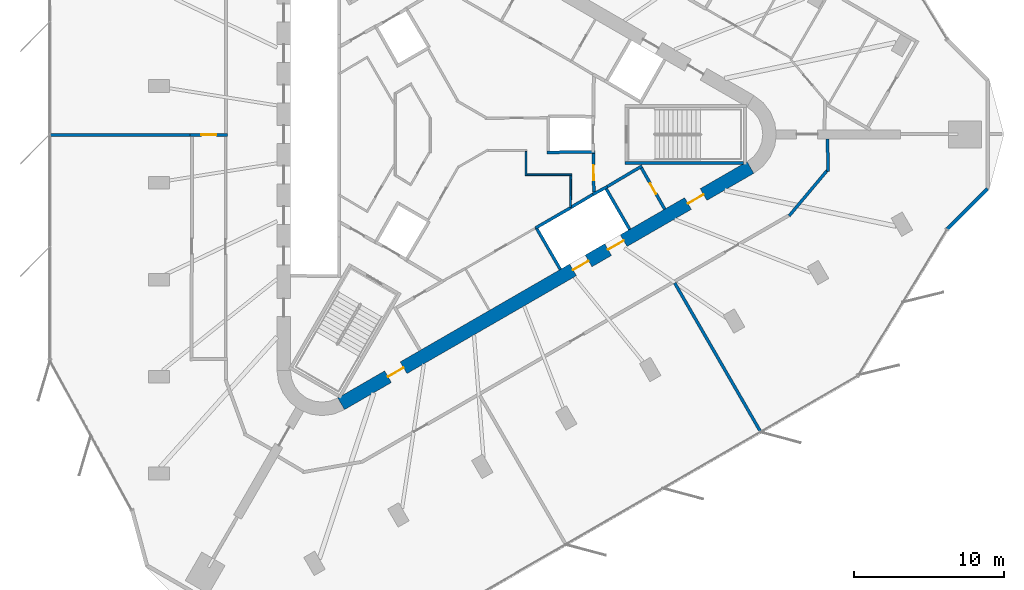
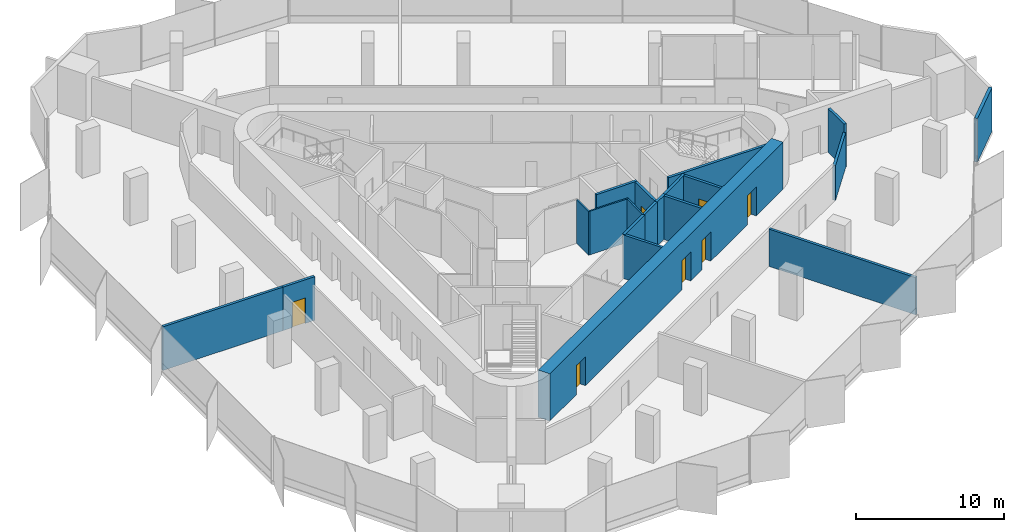
# One storey, part 8 of 12: 20 walls, 7 doors, 7 openings.
"""IFC4 building model written with IfcOpenShell, lengths in metres."""

import ifcopenshell
import ifcopenshell.guid

model = None  # the IFC model being written
_history = None  # IfcOwnerHistory: only IFC2X3 demands one
_inside = {}  # id of a spatial element -> (the spatial element, [elements in it])
_under = {}  # id of a project, library or spatial element -> (it, [spatial elements below it])
_declared = {}  # id of a project -> (the project, [libraries it declares])
_typed = {}  # id of a type object -> (the type object, [elements of that type])
_made_of = {}  # id of a material, layer set ... -> (it, [elements and type objects made of it])


def new_model(schema):
    """Start an empty IFC model of exactly this schema.

    Asked for "IFC4X3", IfcOpenShell would pick the latest addendum, in which some entities
    have other attributes; the version numbers below select the first issue.
    IFC2X3 requires an IfcOwnerHistory on every rooted entity: one is made here for all.
    """
    global model, _history
    if schema == "IFC4X3":
        model = ifcopenshell.file(schema_version=(4, 3, 0, 0))
    else:
        model = ifcopenshell.file(schema=schema)
    _inside.clear()
    _under.clear()
    _declared.clear()
    _typed.clear()
    _made_of.clear()
    _history = None
    if model.schema == "IFC2X3":
        org = make("IfcOrganization", Name="unknown")
        user = make(
            "IfcPersonAndOrganization",
            ThePerson=make("IfcPerson", FamilyName="unknown"),
            TheOrganization=org,
        )
        app = make(
            "IfcApplication",
            ApplicationDeveloper=org,
            Version="unknown",
            ApplicationFullName="unknown",
            ApplicationIdentifier="unknown",
        )
        _history = make(
            "IfcOwnerHistory",
            OwningUser=user,
            OwningApplication=app,
            ChangeAction="ADDED",
            CreationDate=0,
        )
    return model


def make(cls, **values):
    """One entity of the class cls with the attributes given. An attribute that is None is left unset."""
    return model.create_entity(
        cls, **{name: value for name, value in values.items() if value is not None}
    )


def rooted(cls, **values):
    """An entity with a GlobalId (a new one), such as an element, a storey or a relation."""
    return make(cls, GlobalId=ifcopenshell.guid.new(), OwnerHistory=_history, **values)


def si_unit(unit_type, name, prefix=None):
    """IfcSIUnit, for example si_unit("LENGTHUNIT", "METRE", prefix="MILLI")."""
    return make("IfcSIUnit", UnitType=unit_type, Prefix=prefix, Name=name)


def assignment(units):
    """IfcUnitAssignment: the units of a project."""
    return None if units is None else make("IfcUnitAssignment", Units=units)


def point(xyz):
    """IfcCartesianPoint."""
    return None if xyz is None else make("IfcCartesianPoint", Coordinates=xyz)


def direction(xyz):
    """IfcDirection."""
    return None if xyz is None else make("IfcDirection", DirectionRatios=xyz)


def frame(location, z_axis=None, x_axis=None):
    """IfcAxis2Placement3D, a coordinate frame: its origin and axes. An axis left out is left unset."""
    return make(
        "IfcAxis2Placement3D",
        Location=point(location),
        Axis=direction(z_axis),
        RefDirection=direction(x_axis),
    )


def frame_2d(location, x_axis=None):
    """IfcAxis2Placement2D, a coordinate frame in the plane: its origin and x axis."""
    return make(
        "IfcAxis2Placement2D", Location=point(location), RefDirection=direction(x_axis)
    )


def origin():
    """The frame at (0, 0, 0) with its axes left unset."""
    return frame((0.0, 0.0, 0.0))


def place(relative_to, where):
    """IfcLocalPlacement: puts the frame where relative to a parent placement (None: the world)."""
    return make(
        "IfcLocalPlacement", PlacementRelTo=relative_to, RelativePlacement=where
    )


def context(
    kind, dimensions, precision=None, world=None, true_north=None, identifier=None
):
    """IfcGeometricRepresentationContext, for example the 3D "Model" context."""
    return make(
        "IfcGeometricRepresentationContext",
        ContextIdentifier=identifier,
        ContextType=kind,
        CoordinateSpaceDimension=dimensions,
        Precision=precision,
        WorldCoordinateSystem=world,
        TrueNorth=true_north,
    )


def subcontext(parent, identifier, kind, view, scale=None):
    """IfcGeometricRepresentationSubContext, for example "Body" below "Model"."""
    return make(
        "IfcGeometricRepresentationSubContext",
        ContextIdentifier=identifier,
        ContextType=kind,
        ParentContext=parent,
        TargetScale=scale,
        TargetView=view,
    )


def project(units=None, contexts=None):
    """IfcProject with its units and contexts."""
    return rooted(
        "IfcProject",
        Name="project",
        RepresentationContexts=contexts,
        UnitsInContext=assignment(units),
    )


def spatial(cls, under=None, at=None, **own):
    """A site, building, storey or space (cls), placed at a placement, below another one or the project."""
    s = rooted(cls, ObjectPlacement=at, **own)
    if under is not None:
        _under.setdefault(under.id(), (under, []))[1].append(s)
    return s


def profile(cls, at=None, kind="AREA", **sizes):
    """A parametric profile (cls). Its sizes go by their IFC names, for example OverallWidth=200.0."""
    return make(cls, ProfileType=kind, Position=at, **sizes)


def rectangle(**sizes):
    """IfcRectangleProfileDef."""
    return profile("IfcRectangleProfileDef", **sizes)


def extrude(swept, where, along, depth):
    """IfcExtrudedAreaSolid: the profile swept, set in the frame where, extruded along a direction by depth."""
    return make(
        "IfcExtrudedAreaSolid",
        SweptArea=swept,
        Position=where,
        ExtrudedDirection=direction(along),
        Depth=depth,
    )


def shape(context_of_items, identifier, shape_type, items):
    """IfcShapeRepresentation: the items that make up one representation, for example the "Body"."""
    return make(
        "IfcShapeRepresentation",
        ContextOfItems=context_of_items,
        RepresentationIdentifier=identifier,
        RepresentationType=shape_type,
        Items=items,
    )


def material(Name=None, Category=None):
    """IfcMaterial."""
    return make("IfcMaterial", Name=Name, Category=Category)


def layer(
    of_material, thickness, ventilated=None, Name=None, Category=None, Priority=None
):
    """IfcMaterialLayer: one layer of a wall or slab, of a material (None: an air gap)."""
    return make(
        "IfcMaterialLayer",
        Material=of_material,
        LayerThickness=thickness,
        IsVentilated=ventilated,
        Name=Name,
        Category=Category,
        Priority=Priority,
    )


def layer_set(layers, Name=None):
    """IfcMaterialLayerSet."""
    return make("IfcMaterialLayerSet", MaterialLayers=layers, LayerSetName=Name)


def made_of(thing, what):
    """Note that an element or type object is made of a material, layer set ...; save() writes the relation."""
    if what is not None:
        _made_of.setdefault(what.id(), (what, []))[1].append(thing)
    return thing


def type_object(cls, material=None, **own):
    """A type object (cls), such as IfcWallType, which elements share."""
    return made_of(rooted(cls, **own), material)


def element(
    cls,
    number,
    at=None,
    inside=None,
    cuts=None,
    type_object=None,
    material=None,
    context=None,
    identifier="Body",
    shape_type=None,
    held_by="IfcProductDefinitionShape",
    body=None,
    shapes=None,
    **own,
):
    """One element of the class cls, such as IfcWall. Its Tag is "e" and its number.

    at: its placement. inside: the storey or other place that contains it. cuts: it is an
    opening in that element (IfcRelVoidsElement). A single representation is given by context,
    identifier, shape_type and body (its items); several are given by shapes. held_by: the class
    of the entity that holds the representations. save() writes the other relations.
    """
    e = rooted(cls, Tag="e%d" % number, ObjectPlacement=at, **own)
    if body is not None:
        shapes = [shape(context, identifier, shape_type, body)]
    if shapes is not None:
        e.Representation = make(held_by, Representations=shapes)
    if inside is not None:
        _inside.setdefault(inside.id(), (inside, []))[1].append(e)
    if cuts is not None:
        rooted(
            "IfcRelVoidsElement", RelatingBuildingElement=cuts, RelatedOpeningElement=e
        )
    if type_object is not None:
        _typed.setdefault(type_object.id(), (type_object, []))[1].append(e)
    return made_of(e, material)


def fill(opening, filler):
    """IfcRelFillsElement: the door or window that sits in an opening."""
    return rooted(
        "IfcRelFillsElement",
        RelatingOpeningElement=opening,
        RelatedBuildingElement=filler,
    )


def aggregate(whole, parts):
    """IfcRelAggregates: a whole, such as a stair, and the parts it consists of."""
    return rooted("IfcRelAggregates", RelatingObject=whole, RelatedObjects=parts)


def save(model, path):
    """Write the relations noted so far, then the file.

    IfcRelAggregates (storeys below a building ...), IfcRelContainedInSpatialStructure (elements
    in a storey), IfcRelDefinesByType, IfcRelAssociatesMaterial and IfcRelDeclares: one each for
    every whole, place, type object, material and project.
    """
    for whole, parts in _under.values():
        aggregate(whole, parts)
    for where, things in _inside.values():
        rooted(
            "IfcRelContainedInSpatialStructure",
            RelatedElements=things,
            RelatingStructure=where,
        )
    for kind, things in _typed.values():
        rooted("IfcRelDefinesByType", RelatedObjects=things, RelatingType=kind)
    for what, things in _made_of.values():
        rooted("IfcRelAssociatesMaterial", RelatedObjects=things, RelatingMaterial=what)
    for by, libraries in _declared.values():
        rooted("IfcRelDeclares", RelatingContext=by, RelatedDefinitions=libraries)
    model.write(path)


model = new_model("IFC4")

# Units and contexts
model_context = context("Model", 3, precision=1e-05, world=origin(), true_north=direction((0.0, 1.0)))
body_context = subcontext(model_context, "Body", "Model", "MODEL_VIEW")
ifc_project = project(units=[si_unit("LENGTHUNIT", "METRE"), si_unit("AREAUNIT", "SQUARE_METRE"), si_unit("VOLUMEUNIT", "CUBIC_METRE"), si_unit("PLANEANGLEUNIT", "RADIAN"), si_unit("MASSUNIT", "GRAM", prefix="KILO")], contexts=[model_context])

# Site, building, storey
site_placement = place(None, origin())
site = spatial("IfcSite", under=ifc_project, at=site_placement, CompositionType="ELEMENT")
building_placement = place(site_placement, origin())
building = spatial("IfcBuilding", under=site, at=building_placement, Name="Tanit Gate Tower", CompositionType="ELEMENT")
storey_placement = place(building_placement, frame((0.0, 0.0, 333.800048828125)))
storey = spatial("IfcBuildingStorey", under=building, at=storey_placement, Name="L75", CompositionType="ELEMENT", Elevation=333.800048828125)

# Wall, openings, doors
ifc_material_1 = material(Name="Concrete C40/50", Category="concrete")
ifc_layer_1 = layer(ifc_material_1, 0.89990234375)
ifc_layer_set_1 = layer_set([ifc_layer_1], Name="CORE WALL 900 C40/50")
wall_type_1 = type_object("IfcWallType", Name="CORE WALL 900 C40/50", PredefinedType="SHEAR", material=ifc_layer_set_1)
wall_1_placement = place(storey_placement, frame((-7.824951171875, -17.969970703125, 0.0), z_axis=(0.0, 0.0, 1.0), x_axis=(0.866028369851, 0.499994862586, 0.0)))
wall_1 = element("IfcWall", 1, at=wall_1_placement, inside=storey, type_object=wall_type_1, Name="CORE WALL", PredefinedType="SHEAR", context=body_context, shape_type="SweptSolid", body=[
    extrude(rectangle(XDim=31.523193359375, YDim=0.89990234375, at=frame_2d((15.76171875, 0.0))), origin(), (0.0, 0.0, 1.0), 3.89990234375),
])
opening_1_placement = place(wall_1_placement, frame((17.861572265625, 0.0, 0.0)))
opening_1 = element("IfcOpeningElement", 2, at=opening_1_placement, cuts=wall_1, Name="Opening LDSV1-S21", PredefinedType="OPENING", context=body_context, shape_type="SweptSolid", body=[
    extrude(rectangle(XDim=1.199951171875, YDim=2.39990234375, at=frame_2d((0.60009765625, 1.199951171875))), frame((0.0, 0.4599609375, 0.0), z_axis=(0.0, -1.0, 0.0), x_axis=(1.0, 0.0, 0.0)), (0.0, 0.0, 1.0), 0.919921875),
])
opening_2_placement = place(wall_1_placement, frame((20.561767578125, 0.0, 0.0)))
opening_2 = element("IfcOpeningElement", 3, at=opening_2_placement, cuts=wall_1, Name="Opening LDSV2-S21", PredefinedType="OPENING", context=body_context, shape_type="SweptSolid", body=[
    extrude(rectangle(XDim=1.199951171875, YDim=2.39990234375, at=frame_2d((0.60009765625, 1.199951171875))), frame((0.0, 0.4599609375, 0.0), z_axis=(0.0, -1.0, 0.0), x_axis=(1.0, 0.0, 0.0)), (0.0, 0.0, 1.0), 0.919921875),
])
opening_3_placement = place(wall_1_placement, frame((26.711669921875, 0.0, 0.0)))
opening_3 = element("IfcOpeningElement", 4, at=opening_3_placement, cuts=wall_1, Name="Opening F12-S21-S1", PredefinedType="OPENING", context=body_context, shape_type="SweptSolid", body=[
    extrude(rectangle(XDim=1.199951171875, YDim=2.39990234375, at=frame_2d((0.60009765625, 1.199951171875))), frame((0.0, 0.4599609375, 0.0), z_axis=(0.0, -1.0, 0.0), x_axis=(1.0, 0.0, 0.0)), (0.0, 0.0, 1.0), 0.919921875),
])
opening_4_placement = place(wall_1_placement, frame((3.611572265625, 0.0, 0.0)))
opening_4 = element("IfcOpeningElement", 5, at=opening_4_placement, cuts=wall_1, Name="Opening F12-S21-FL3", PredefinedType="OPENING", context=body_context, shape_type="SweptSolid", body=[
    extrude(rectangle(XDim=1.199951171875, YDim=2.39990234375, at=frame_2d((0.60009765625, 1.199951171875))), frame((0.0, 0.4599609375, 0.0), z_axis=(0.0, -1.0, 0.0), x_axis=(1.0, 0.0, 0.0)), (0.0, 0.0, 1.0), 0.919921875),
])
ifc_material_2 = material(Name="Fire-rated steel door leaf", Category="steel")
door_type_1 = type_object("IfcDoorType", Name="INT-DOOR-FIRE-LOBBY-1200", OperationType="NOTDEFINED", PredefinedType="USERDEFINED", material=ifc_material_2)
door_1_placement = place(opening_3_placement, origin())
door_1 = element("IfcDoor", 6, at=door_1_placement, inside=storey, type_object=door_type_1, Name="Door F12-S21-S1", ObjectType="FIRE DOOR", OperationType="SINGLE_SWING_RIGHT", OverallHeight=2.39990234375, OverallWidth=1.199951171875, PredefinedType="USERDEFINED", context=body_context, shape_type="SweptSolid", body=[
    extrude(rectangle(XDim=1.199951171875, YDim=2.39990234375, at=frame_2d((0.60009765625, 1.199951171875))), frame((0.0, 0.02490234375, 0.0), z_axis=(0.0, -1.0, 0.0), x_axis=(1.0, 0.0, 0.0)), (0.0, 0.0, 1.0), 0.050048828125),
])
fill(opening_3, door_1)
door_2_placement = place(opening_4_placement, origin())
door_2 = element("IfcDoor", 7, at=door_2_placement, inside=storey, type_object=door_type_1, Name="Door F12-S21-FL3", ObjectType="FIRE DOOR", OperationType="SINGLE_SWING_LEFT", OverallHeight=2.39990234375, OverallWidth=1.199951171875, PredefinedType="USERDEFINED", context=body_context, shape_type="SweptSolid", body=[
    extrude(rectangle(XDim=1.199951171875, YDim=2.39990234375, at=frame_2d((0.60009765625, 1.199951171875))), frame((0.0, 0.02490234375, 0.0), z_axis=(0.0, -1.0, 0.0), x_axis=(1.0, 0.0, 0.0)), (0.0, 0.0, 1.0), 0.050048828125),
])
fill(opening_4, door_2)
ifc_material_3 = material(Name="Stainless steel sliding door leaf", Category="steel")
door_type_2 = type_object("IfcDoorType", Name="INT-DOOR-LANDING-1200", OperationType="NOTDEFINED", PredefinedType="USERDEFINED", material=ifc_material_3)
door_3_placement = place(opening_1_placement, origin())
door_3 = element("IfcDoor", 8, at=door_3_placement, inside=storey, type_object=door_type_2, Name="Door LDSV1-S21", ObjectType="LANDING DOOR", OperationType="SLIDING_TO_LEFT", OverallHeight=2.39990234375, OverallWidth=1.199951171875, PredefinedType="USERDEFINED", context=body_context, shape_type="SweptSolid", body=[
    extrude(rectangle(XDim=1.199951171875, YDim=2.39990234375, at=frame_2d((0.60009765625, 1.199951171875))), frame((0.0, 0.02490234375, 0.0), z_axis=(0.0, -1.0, 0.0), x_axis=(1.0, 0.0, 0.0)), (0.0, 0.0, 1.0), 0.050048828125),
])
fill(opening_1, door_3)
door_4_placement = place(opening_2_placement, origin())
door_4 = element("IfcDoor", 9, at=door_4_placement, inside=storey, type_object=door_type_2, Name="Door LDSV2-S21", ObjectType="LANDING DOOR", OperationType="SLIDING_TO_LEFT", OverallHeight=2.39990234375, OverallWidth=1.199951171875, PredefinedType="USERDEFINED", context=body_context, shape_type="SweptSolid", body=[
    extrude(rectangle(XDim=1.199951171875, YDim=2.39990234375, at=frame_2d((0.60009765625, 1.199951171875))), frame((0.0, 0.02490234375, 0.0), z_axis=(0.0, -1.0, 0.0), x_axis=(1.0, 0.0, 0.0)), (0.0, 0.0, 1.0), 0.050048828125),
])
fill(opening_2, door_4)

# Walls
ifc_material_4 = material(Name="Concrete C30/37 with bronze anodised aluminium cladding", Category="concrete")
ifc_layer_2 = layer(ifc_material_4, 0.239990234375)
ifc_layer_set_2 = layer_set([ifc_layer_2], Name="Facade wall bronze clad 240")
wall_type_2 = type_object("IfcWallType", Name="Facade wall bronze clad 240", PredefinedType="SOLIDWALL", material=ifc_layer_set_2)
wall_2_placement = place(storey_placement, frame((32.60791015625, -6.306396484375, 0.0), z_axis=(0.0, 0.0, 1.0), x_axis=(0.707138934827, 0.707074626084, 0.0)))
element("IfcWall", 10, at=wall_2_placement, inside=storey, type_object=wall_type_2, Name="Bronze-clad facade wall L75 E.arc1", PredefinedType="SOLIDWALL", context=body_context, shape_type="SweptSolid", body=[
    extrude(rectangle(XDim=3.79638671875, YDim=0.239990234375, at=frame_2d((1.898193359375, 0.0))), origin(), (0.0, 0.0, 1.0), 3.599853515625),
])
ifc_material_5 = material(Name="Fire-rated gypsum board partition")
ifc_layer_3 = layer(ifc_material_5, 0.199951171875)
ifc_layer_set_3 = layer_set([ifc_layer_3], Name="INT-WALL-COMPARTMENT")
wall_type_3 = type_object("IfcWallType", Name="INT-WALL-COMPARTMENT", PredefinedType="PARTITIONING", material=ifc_layer_set_3)
wall_3_placement = place(storey_placement, frame((12.244873046875, -2.10888671875, 0.0), z_axis=(0.0, 0.0, 1.0), x_axis=(-0.860414880418, -0.509594185166, 0.0)))
element("IfcWall", 11, at=wall_3_placement, inside=storey, type_object=wall_type_3, Name="Wall Compartment W057", PredefinedType="PARTITIONING", context=body_context, shape_type="SweptSolid", body=[
    extrude(rectangle(XDim=2.7001953125, YDim=0.199951171875, at=frame_2d((1.35009765625, 0.0))), origin(), (0.0, 0.0, 1.0), 3.599853515625),
])

# Wall, opening, door
wall_4_placement = place(storey_placement, frame((13.758056640625, -4.989501953125, 0.0), z_axis=(0.0, 0.0, 1.0), x_axis=(-0.491993409184, 0.87059892334, 0.0)))
wall_4 = element("IfcWall", 12, at=wall_4_placement, inside=storey, type_object=wall_type_3, Name="Wall Compartment W058", PredefinedType="PARTITIONING", context=body_context, shape_type="SweptSolid", body=[
    extrude(rectangle(XDim=3.150146484375, YDim=0.199951171875, at=frame_2d((1.5751953125, 0.0))), origin(), (0.0, 0.0, 1.0), 3.599853515625),
])
opening_5_placement = place(wall_4_placement, frame((1.175048828125, 0.0, 0.0)))
opening_5 = element("IfcOpeningElement", 13, at=opening_5_placement, cuts=wall_4, Name="Opening R08-S21-19", PredefinedType="OPENING", context=body_context, shape_type="SweptSolid", body=[
    extrude(rectangle(XDim=0.800048828125, YDim=2.10009765625, at=frame_2d((0.39990234375, 1.050048828125))), frame((0.0, 0.10986328125, 0.0), z_axis=(0.0, -1.0, 0.0), x_axis=(1.0, 0.0, 0.0)), (0.0, 0.0, 1.0), 0.219970703125),
])
ifc_material_6 = material(Name="Timber door leaf", Category="wood")
door_type_3 = type_object("IfcDoorType", Name="INT-DOOR-RISER-800", OperationType="NOTDEFINED", PredefinedType="USERDEFINED", material=ifc_material_6)
door_5_placement = place(opening_5_placement, origin())
door_5 = element("IfcDoor", 14, at=door_5_placement, inside=storey, type_object=door_type_3, Name="Door R08-S21-19", ObjectType="FIRE DOOR", OperationType="SINGLE_SWING_RIGHT", OverallHeight=2.10009765625, OverallWidth=0.800048828125, PredefinedType="USERDEFINED", context=body_context, shape_type="SweptSolid", body=[
    extrude(rectangle(XDim=0.800048828125, YDim=2.10009765625, at=frame_2d((0.39990234375, 1.050048828125))), frame((0.0, 0.02490234375, 0.0), z_axis=(0.0, -1.0, 0.0), x_axis=(1.0, 0.0, 0.0)), (0.0, 0.0, 1.0), 0.050048828125),
])
fill(opening_5, door_5)

wall_5_placement = place(storey_placement, frame((9.02880859375, -3.850830078125, 0.0), z_axis=(0.0, 0.0, 1.0), x_axis=(-0.010783593937, 0.99994185536, 0.0)))
wall_5 = element("IfcWall", 15, at=wall_5_placement, inside=storey, type_object=wall_type_3, Name="Wall Compartment W060", PredefinedType="PARTITIONING", context=body_context, shape_type="SweptSolid", body=[
    extrude(rectangle(XDim=2.5810546875, YDim=0.199951171875, at=frame_2d((1.29052734375, 0.0))), origin(), (0.0, 0.0, 1.0), 3.599853515625),
])
opening_6_placement = place(wall_5_placement, frame((0.79052734375, 0.0, 0.0)))
opening_6 = element("IfcOpeningElement", 16, at=opening_6_placement, cuts=wall_5, Name="Opening F10-S21-02", PredefinedType="OPENING", context=body_context, shape_type="SweptSolid", body=[
    extrude(rectangle(XDim=1.0, YDim=2.10009765625, at=frame_2d((0.5, 1.050048828125))), frame((0.0, 0.10986328125, 0.0), z_axis=(0.0, -1.0, 0.0), x_axis=(1.0, 0.0, 0.0)), (0.0, 0.0, 1.0), 0.219970703125),
])
ifc_material_7 = material(Name="Fire-rated steel door leaf", Category="steel")
door_type_4 = type_object("IfcDoorType", Name="INT-DOOR-FIRE-1000", OperationType="NOTDEFINED", PredefinedType="USERDEFINED", material=ifc_material_7)
door_6_placement = place(opening_6_placement, origin())
door_6 = element("IfcDoor", 17, at=door_6_placement, inside=storey, type_object=door_type_4, Name="Door F10-S21-02", ObjectType="FIRE DOOR", OperationType="SINGLE_SWING_RIGHT", OverallHeight=2.10009765625, OverallWidth=1.0, PredefinedType="USERDEFINED", context=body_context, shape_type="SweptSolid", body=[
    extrude(rectangle(XDim=1.0, YDim=2.10009765625, at=frame_2d((0.5, 1.050048828125))), frame((0.0, 0.02490234375, 0.0), z_axis=(0.0, -1.0, 0.0), x_axis=(1.0, 0.0, 0.0)), (0.0, 0.0, 1.0), 0.050048828125),
])
fill(opening_6, door_6)

wall_6_placement = place(storey_placement, frame((-15.39990234375, -0.030029296875, 0.0), z_axis=(0.0, 0.0, 1.0), x_axis=(-0.999999957085, -0.000292968737, 0.0)))
wall_6 = element("IfcWall", 18, at=wall_6_placement, inside=storey, type_object=wall_type_3, Name="Wall Compartment W087", PredefinedType="PARTITIONING", context=body_context, shape_type="SweptSolid", body=[
    extrude(rectangle(XDim=2.5, YDim=0.199951171875, at=frame_2d((1.25, 0.0))), origin(), (0.0, 0.0, 1.0), 3.599853515625),
])
opening_7_placement = place(wall_6_placement, frame((0.75, 0.0, 0.0)))
opening_7 = element("IfcOpeningElement", 19, at=opening_7_placement, cuts=wall_6, Name="Opening F10-S21-27", PredefinedType="OPENING", context=body_context, shape_type="SweptSolid", body=[
    extrude(rectangle(XDim=1.0, YDim=2.10009765625, at=frame_2d((0.5, 1.050048828125))), frame((0.0, 0.10986328125, 0.0), z_axis=(0.0, -1.0, 0.0), x_axis=(1.0, 0.0, 0.0)), (0.0, 0.0, 1.0), 0.219970703125),
])
door_7_placement = place(opening_7_placement, origin())
door_7 = element("IfcDoor", 20, at=door_7_placement, inside=storey, type_object=door_type_4, Name="Door F10-S21-27", ObjectType="FIRE DOOR", OperationType="SINGLE_SWING_RIGHT", OverallHeight=2.10009765625, OverallWidth=1.0, PredefinedType="USERDEFINED", context=body_context, shape_type="SweptSolid", body=[
    extrude(rectangle(XDim=1.0, YDim=2.10009765625, at=frame_2d((0.5, 1.050048828125))), frame((0.0, 0.02490234375, 0.0), z_axis=(0.0, -1.0, 0.0), x_axis=(1.0, 0.0, 0.0)), (0.0, 0.0, 1.0), 0.050048828125),
])
fill(opening_7, door_7)

# Walls
wall_7_placement = place(storey_placement, frame((24.647705078125, -2.46240234375, 0.0), z_axis=(0.0, 0.0, 1.0), x_axis=(-0.012757232068, 0.999918623204, 0.0)))
element("IfcWall", 21, at=wall_7_placement, inside=storey, type_object=wall_type_3, Name="Wall Compartment W102", PredefinedType="PARTITIONING", context=body_context, shape_type="SweptSolid", body=[
    extrude(rectangle(XDim=2.16259765625, YDim=0.199951171875, at=frame_2d((1.081298828125, 0.0))), origin(), (0.0, 0.0, 1.0), 3.599853515625),
])
wall_8_placement = place(storey_placement, frame((22.05419921875, -5.435302734375, 0.0), z_axis=(0.0, 0.0, 1.0), x_axis=(0.642790979996, 0.766041615081, 0.0)))
element("IfcWall", 22, at=wall_8_placement, inside=storey, type_object=wall_type_3, Name="Wall Compartment W103", PredefinedType="PARTITIONING", context=body_context, shape_type="SweptSolid", body=[
    extrude(rectangle(XDim=3.9833984375, YDim=0.199951171875, at=frame_2d((1.99169921875, 0.0))), origin(), (0.0, 0.0, 1.0), 2.8798828125),
])
wall_9_placement = place(storey_placement, frame((-27.2578125, -0.030029296875, 0.0), z_axis=(0.0, 0.0, 1.0), x_axis=(0.999999996937, -7.8267675e-05, 0.0)))
element("IfcWall", 23, at=wall_9_placement, inside=storey, type_object=wall_type_3, Name="Wall Compartment W109", PredefinedType="PARTITIONING", context=body_context, shape_type="SweptSolid", body=[
    extrude(rectangle(XDim=9.35791015625, YDim=0.199951171875, at=frame_2d((4.678955078125, 0.0))), origin(), (0.0, 0.0, 1.0), 3.599853515625),
])
wall_10_placement = place(storey_placement, frame((14.42529296875, -9.915771484375, 0.0), z_axis=(0.0, 0.0, 1.0), x_axis=(0.499943167381, -0.866058213626, 0.0)))
element("IfcWall", 24, at=wall_10_placement, inside=storey, type_object=wall_type_3, Name="Wall Compartment W124", PredefinedType="PARTITIONING", context=body_context, shape_type="SweptSolid", body=[
    extrude(rectangle(XDim=11.458251953125, YDim=0.199951171875, at=frame_2d((5.72900390625, 0.0))), origin(), (0.0, 0.0, 1.0), 3.070068359375),
])
ifc_material_8 = material(Name="Gypsum board partition")
ifc_layer_4 = layer(ifc_material_8, 0.1201171875)
ifc_layer_set_4 = layer_set([ifc_layer_4], Name="INT-WALL-PARTITION")
wall_type_4 = type_object("IfcWallType", Name="INT-WALL-PARTITION", PredefinedType="PARTITIONING", material=ifc_layer_set_4)
wall_11_placement = place(storey_placement, frame((4.5, -2.760009765625, 0.0), z_axis=(0.0, 0.0, 1.0), x_axis=(0.0, 1.0, 0.0)))
element("IfcWall", 25, at=wall_11_placement, inside=storey, type_object=wall_type_4, Name="Wall Partition W071", PredefinedType="PARTITIONING", context=body_context, shape_type="SweptSolid", body=[
    extrude(rectangle(XDim=1.625, YDim=0.1201171875, at=frame_2d((0.8125, 0.0))), origin(), (0.0, 0.0, 1.0), 3.599853515625),
])
wall_12_placement = place(storey_placement, frame((7.56005859375, -2.699951171875, 0.0), z_axis=(0.0, 0.0, 1.0), x_axis=(-1.0, 0.0, 0.0)))
element("IfcWall", 26, at=wall_12_placement, inside=storey, type_object=wall_type_4, Name="Wall Partition W072", PredefinedType="PARTITIONING", context=body_context, shape_type="SweptSolid", body=[
    extrude(rectangle(XDim=3.0, YDim=0.1201171875, at=frame_2d((1.5, 0.0))), origin(), (0.0, 0.0, 1.0), 3.599853515625),
])
wall_13_placement = place(storey_placement, frame((7.474609375, -4.864501953125, 0.0), z_axis=(0.0, 0.0, 1.0), x_axis=(0.011716133148, 0.999931363757, 0.0)))
element("IfcWall", 27, at=wall_13_placement, inside=storey, type_object=wall_type_4, Name="Wall Partition W073", PredefinedType="PARTITIONING", context=body_context, shape_type="SweptSolid", body=[
    extrude(rectangle(XDim=2.104736328125, YDim=0.1201171875, at=frame_2d((1.05224609375, 0.0))), origin(), (0.0, 0.0, 1.0), 3.599853515625),
])
ifc_material_9 = material(Name="Gypsum shaft wall system")
ifc_layer_5 = layer(ifc_material_9, 0.199951171875)
ifc_layer_set_5 = layer_set([ifc_layer_5], Name="INT-WALL-SHAFT")
wall_type_5 = type_object("IfcWallType", Name="INT-WALL-SHAFT", PredefinedType="PLUMBINGWALL", material=ifc_layer_set_5)
wall_14_placement = place(storey_placement, frame((6.795166015625, -9.009521484375, 0.0), z_axis=(0.0, 0.0, 1.0), x_axis=(-0.499984717929, 0.866034226713, 0.0)))
element("IfcWall", 28, at=wall_14_placement, inside=storey, type_object=wall_type_5, Name="Wall Shaft W015", PredefinedType="PLUMBINGWALL", context=body_context, shape_type="SweptSolid", body=[
    extrude(rectangle(XDim=3.25, YDim=0.199951171875, at=frame_2d((1.625, 0.0))), origin(), (0.0, 0.0, 1.0), 3.599853515625),
])
wall_15_placement = place(storey_placement, frame((5.1591796875, -6.23583984375, 0.0), z_axis=(0.0, 0.0, 1.0), x_axis=(0.866036505625, 0.499980770555, 0.0)))
element("IfcWall", 29, at=wall_15_placement, inside=storey, type_object=wall_type_5, Name="Wall Shaft W016", PredefinedType="PLUMBINGWALL", context=body_context, shape_type="SweptSolid", body=[
    extrude(rectangle(XDim=2.69970703125, YDim=0.199951171875, at=frame_2d((1.349853515625, 0.0))), origin(), (0.0, 0.0, 1.0), 3.599853515625),
])
wall_16_placement = place(storey_placement, frame((9.794677734375, -3.52490234375, 0.0), z_axis=(0.0, 0.0, 1.0), x_axis=(0.499984717929, -0.866034226713, 0.0)))
element("IfcWall", 30, at=wall_16_placement, inside=storey, type_object=wall_type_5, Name="Wall Shaft W017", PredefinedType="PLUMBINGWALL", context=body_context, shape_type="SweptSolid", body=[
    extrude(rectangle(XDim=3.25, YDim=0.199951171875, at=frame_2d((1.625, 0.0))), origin(), (0.0, 0.0, 1.0), 3.599853515625),
])
wall_17_placement = place(storey_placement, frame((8.97412109375, -3.998779296875, 0.0), z_axis=(0.0, 0.0, 1.0), x_axis=(0.880907015104, 0.473289373154, 0.0)))
element("IfcWall", 31, at=wall_17_placement, inside=storey, type_object=wall_type_5, Name="Wall Shaft W018", PredefinedType="PLUMBINGWALL", context=body_context, shape_type="SweptSolid", body=[
    extrude(rectangle(XDim=1.078125, YDim=0.199951171875, at=frame_2d((0.5390625, 0.0))), origin(), (0.0, 0.0, 1.0), 3.599853515625),
])
wall_18_placement = place(storey_placement, frame((7.4931640625, -4.87841796875, 0.0), z_axis=(0.0, 0.0, 1.0), x_axis=(0.859981807212, 0.510324691999, 0.0)))
element("IfcWall", 32, at=wall_18_placement, inside=storey, type_object=wall_type_5, Name="Wall Shaft W019", PredefinedType="PLUMBINGWALL", context=body_context, shape_type="SweptSolid", body=[
    extrude(rectangle(XDim=1.8447265625, YDim=0.199951171875, at=frame_2d((0.92236328125, 0.0))), origin(), (0.0, 0.0, 1.0), 3.599853515625),
])
wall_19_placement = place(storey_placement, frame((5.89990234375, -1.200927734375, 0.0), z_axis=(0.0, 0.0, 1.0), x_axis=(0.999950064753, 0.009993397809, 0.0)))
element("IfcWall", 33, at=wall_19_placement, inside=storey, type_object=wall_type_5, Name="Wall Shaft W026", PredefinedType="PLUMBINGWALL", context=body_context, shape_type="SweptSolid", body=[
    extrude(rectangle(XDim=3.200439453125, YDim=0.199951171875, at=frame_2d((1.60009765625, 0.0))), origin(), (0.0, 0.0, 1.0), 3.599853515625),
])
ifc_material_10 = material(Name="Concrete C40/50", Category="concrete")
ifc_layer_6 = layer(ifc_material_10, 0.199951171875)
ifc_layer_set_6 = layer_set([ifc_layer_6], Name="INT-WALL-STAIR")
wall_type_6 = type_object("IfcWallType", Name="INT-WALL-STAIR", PredefinedType="SHEAR", material=ifc_layer_set_6)
wall_20_placement = place(storey_placement, frame((11.10009765625, -1.89990234375, -0.300048828125), z_axis=(0.0, 0.0, 1.0), x_axis=(1.0, 0.0, 0.0)))
element("IfcWall", 34, at=wall_20_placement, inside=storey, type_object=wall_type_6, Name="Wall Stair W022", PredefinedType="SHEAR", context=body_context, shape_type="SweptSolid", body=[
    extrude(rectangle(XDim=7.89990234375, YDim=0.199951171875, at=frame_2d((3.949951171875, 0.0))), origin(), (0.0, 0.0, 1.0), 3.89990234375),
])

save(model, "model.ifc")
